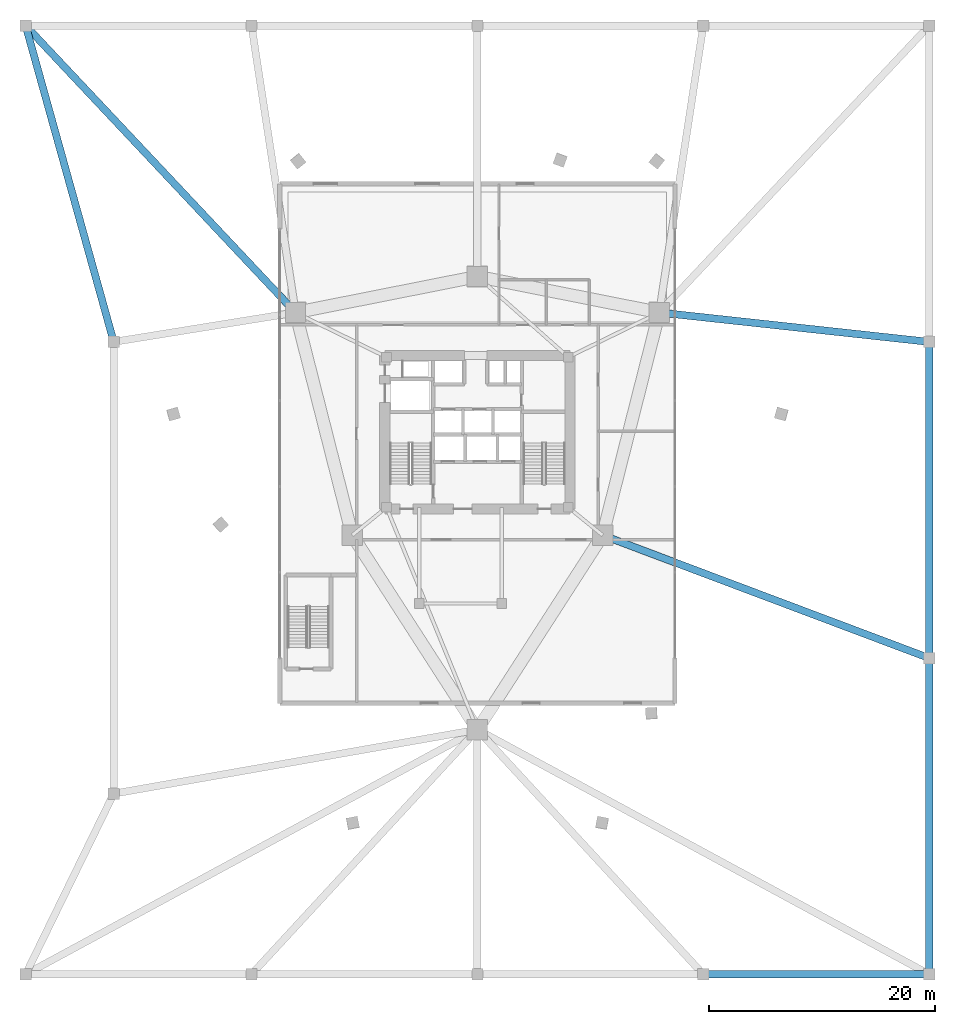
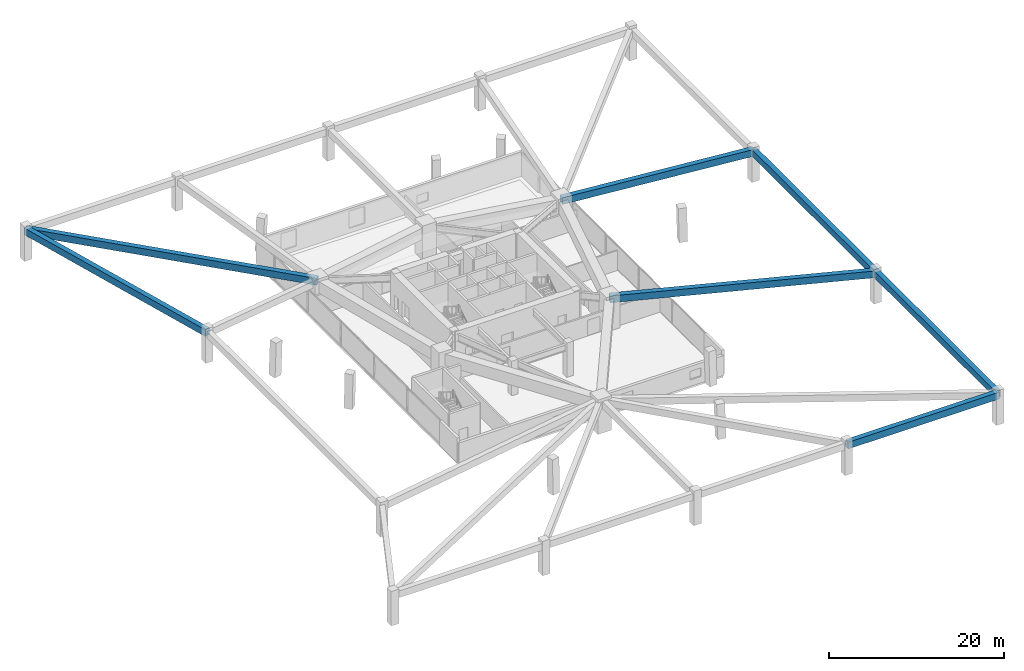
# One storey, part 8 of 15: 7 beams.
"""IFC4 building model written with IfcOpenShell, lengths in metres."""

from ifc_helpers import new_model, si_unit, direction, frame, origin, origin_2d, place, context, subcontext, project, spatial, rectangle, extrude, material, material_profile, profile_set, type_object, element, save


model = new_model("IFC4")

# Units and contexts
model_context = context("Model", 3, precision=1e-05, world=origin(), true_north=direction((0.0, 1.0)))
body_context = subcontext(model_context, "Body", "Model", "MODEL_VIEW")
ifc_project = project(units=[si_unit("LENGTHUNIT", "METRE"), si_unit("AREAUNIT", "SQUARE_METRE"), si_unit("VOLUMEUNIT", "CUBIC_METRE"), si_unit("PLANEANGLEUNIT", "RADIAN"), si_unit("MASSUNIT", "GRAM", prefix="KILO")], contexts=[model_context])

# Site, building, storey
site_placement = place(None, origin())
site = spatial("IfcSite", under=ifc_project, at=site_placement, CompositionType="ELEMENT")
building_placement = place(site_placement, origin())
building = spatial("IfcBuilding", under=site, at=building_placement, Name="Talyreon Biosciences Tower", CompositionType="ELEMENT")
storey_placement = place(building_placement, frame((0.0, 0.0, 5.39990234375)))
storey = spatial("IfcBuildingStorey", under=building, at=storey_placement, Name="L01", CompositionType="ELEMENT", Elevation=5.39990234375)

# Beams
ifc_material = material(Name="Concrete C50/60", Category="concrete")
ifc_material_profile = material_profile(ifc_material, rectangle(XDim=0.64990234375, YDim=0.949951171875, at=origin_2d()), Name="RCB 650x950")
ifc_profile_set = profile_set([ifc_material_profile], Name="Concrete C50/60")
beam_type = type_object("IfcBeamType", Name="PodiumGirder_650x950", PredefinedType="T_BEAM", material=ifc_profile_set)
beam_1_placement = place(storey_placement, frame((86.0, 20.0, 3.925048828125), z_axis=(1.0, 0.0, 0.0), x_axis=(0.0, 1.0, 0.0)))
element("IfcBeam", 1, at=beam_1_placement, inside=storey, type_object=beam_type, Name="L01 Podium Perimeter Ring Girder 04", PredefinedType="T_BEAM", context=body_context, shape_type="SweptSolid", body=[
    extrude(rectangle(XDim=0.64990234375, YDim=0.949951171875, at=origin_2d()), origin(), (0.0, 0.0, 1.0), 20.0),
])
for number, where, z_axis, x_axis, name in (
    (2, (106.0, 20.0, 3.925048828125), (0.0, 1.0, 0.0), (-1.0, 0.0, 0.0), "L01 Podium Perimeter Ring Girder 05"),
    (3, (106.0, 48.0, 3.925048828125), (0.0, 1.0, 0.0), (-1.0, 0.0, 0.0), "L01 Podium Perimeter Ring Girder 06"),
):
    element("IfcBeam", number, at=place(storey_placement, frame(where, z_axis=z_axis, x_axis=x_axis)), inside=storey, type_object=beam_type, Name=name, PredefinedType="T_BEAM", context=body_context, shape_type="SweptSolid", body=[
        extrude(rectangle(XDim=0.64990234375, YDim=0.949951171875, at=origin_2d()), origin(), (0.0, 0.0, 1.0), 28.0),
    ])
beam_2_placement = place(storey_placement, frame((26.0, 104.0, 3.925048828125), z_axis=(0.268355123678, -0.963320054601, 0.0), x_axis=(0.963320054601, 0.268355123678, 0.0)))
element("IfcBeam", 4, at=beam_2_placement, inside=storey, type_object=beam_type, Name="L01 Podium Perimeter Ring Girder 12", PredefinedType="T_BEAM", context=body_context, shape_type="SweptSolid", body=[
    extrude(rectangle(XDim=0.64990234375, YDim=0.949951171875, at=origin_2d()), origin(), (0.0, 0.0, 1.0), 29.066162109375),
])
beam_3_placement = place(storey_placement, frame((77.086181640625, 58.88037109375, 3.925048828125), z_axis=(0.935927476384, -0.352192786623, 0.0), x_axis=(0.352192786623, 0.935927476384, 0.0)))
element("IfcBeam", 5, at=beam_3_placement, inside=storey, type_object=beam_type, Name="L01 Podium Radial Tie Girder PDC06", PredefinedType="T_BEAM", context=body_context, shape_type="SweptSolid", body=[
    extrude(rectangle(XDim=0.64990234375, YDim=0.949951171875, at=origin_2d()), origin(), (0.0, 0.0, 1.0), 30.893310546875),
])
beam_4_placement = place(storey_placement, frame((82.102294921875, 78.5986328125, 3.925048828125), z_axis=(0.994139742168, -0.108102604236, 0.0), x_axis=(0.108102604236, 0.994139742168, 0.0)))
element("IfcBeam", 6, at=beam_4_placement, inside=storey, type_object=beam_type, Name="L01 Podium Radial Tie Girder PDC07", PredefinedType="T_BEAM", context=body_context, shape_type="SweptSolid", body=[
    extrude(rectangle(XDim=0.64990234375, YDim=0.949951171875, at=origin_2d()), origin(), (0.0, 0.0, 1.0), 24.03857421875),
])
beam_5_placement = place(storey_placement, frame((49.897705078125, 78.5986328125, 3.925048828125), z_axis=(-0.685220788465, 0.728335411095, 0.0), x_axis=(-0.728335411095, -0.685220788465, 0.0)))
element("IfcBeam", 7, at=beam_5_placement, inside=storey, type_object=beam_type, Name="L01 Podium Radial Tie Girder PDC12", PredefinedType="T_BEAM", context=body_context, shape_type="SweptSolid", body=[
    extrude(rectangle(XDim=0.64990234375, YDim=0.949951171875, at=origin_2d()), origin(), (0.0, 0.0, 1.0), 34.8759765625),
])

save(model, "model.ifc")
